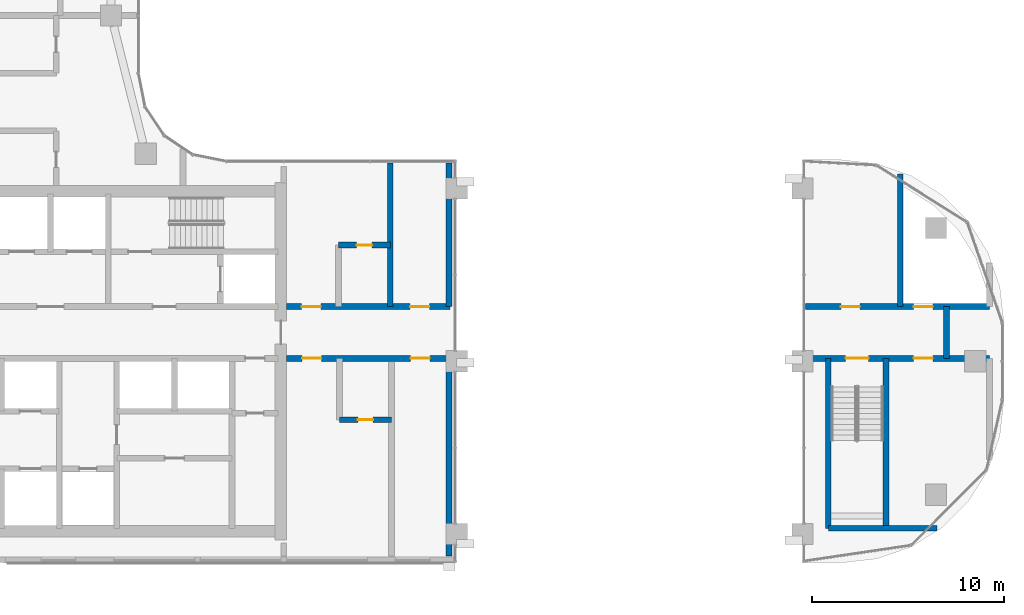
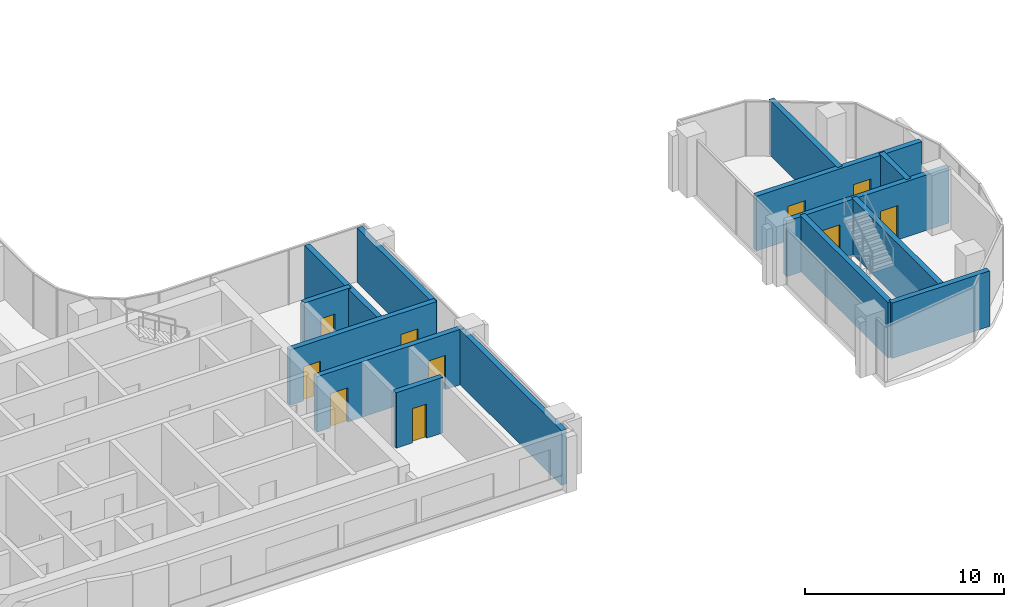
# One storey, part 12 of 23: 14 walls, 10 doors, 10 openings.
"""IFC4 building model written with IfcOpenShell, lengths in metres."""

from ifc_helpers import new_model, si_unit, direction, frame, frame_2d, origin, place, context, subcontext, project, spatial, rectangle, extrude, material, layer, layer_set, type_object, element, fill, save


model = new_model("IFC4")

# Units and contexts
model_context = context("Model", 3, precision=1e-05, world=origin(), true_north=direction((0.0, 1.0)))
body_context = subcontext(model_context, "Body", "Model", "MODEL_VIEW")
ifc_project = project(units=[si_unit("LENGTHUNIT", "METRE"), si_unit("AREAUNIT", "SQUARE_METRE"), si_unit("VOLUMEUNIT", "CUBIC_METRE"), si_unit("PLANEANGLEUNIT", "RADIAN"), si_unit("MASSUNIT", "GRAM", prefix="KILO")], contexts=[model_context])

# Site, building, storey
site_placement = place(None, origin())
site = spatial("IfcSite", under=ifc_project, at=site_placement, CompositionType="ELEMENT")
building_placement = place(site_placement, origin())
building = spatial("IfcBuilding", under=site, at=building_placement, Name="Ogive Portal Towers", CompositionType="ELEMENT")
storey_placement = place(building_placement, frame((0.0, 0.0, 149.60009765625)))
storey = spatial("IfcBuildingStorey", under=building, at=storey_placement, Name="L36", CompositionType="ELEMENT", Elevation=149.60009765625)

# Wall
ifc_material_1 = material(Name="Concrete C50/60", Category="concrete")
ifc_layer_1 = layer(ifc_material_1, 0.300048828125)
ifc_layer_set_1 = layer_set([ifc_layer_1], Name="STAIR WALL 300 C50")
wall_type_1 = type_object("IfcWallType", Name="STAIR WALL 300 C50", PredefinedType="SHEAR", material=ifc_layer_set_1)
wall_1_placement = place(storey_placement, frame((86.85009765625, 21.800048828125, 0.0), z_axis=(0.0, 0.0, 1.0), x_axis=(1.0, 0.0, 0.0)))
element("IfcWall", 1, at=wall_1_placement, inside=storey, type_object=wall_type_1, Name="Stair wall ST-A4 L36", PredefinedType="SHEAR", context=body_context, shape_type="SweptSolid", body=[
    extrude(rectangle(XDim=5.664794921875, YDim=0.300048828125, at=frame_2d((2.83251953125, 0.0))), origin(), (0.0, 0.0, 1.0), 3.39990234375),
])

# Wall, openings, doors
wall_2_placement = place(storey_placement, frame((85.85009765625, 30.64990234375, 0.0), z_axis=(0.0, 0.0, 1.0), x_axis=(1.0, 0.0, 0.0)))
wall_2 = element("IfcWall", 2, at=wall_2_placement, inside=storey, type_object=wall_type_1, Name="Stair wall ST-A4 L36", PredefinedType="SHEAR", context=body_context, shape_type="SweptSolid", body=[
    extrude(rectangle(XDim=9.39990234375, YDim=0.300048828125, at=frame_2d((4.699951171875, 0.0))), origin(), (0.0, 0.0, 1.0), 3.39990234375),
])
opening_1_placement = place(wall_2_placement, frame((1.89990234375, 0.0, 0.0)))
opening_1 = element("IfcOpeningElement", 3, at=opening_1_placement, cuts=wall_2, Name="Opening D14-049", PredefinedType="OPENING", context=body_context, shape_type="SweptSolid", body=[
    extrude(rectangle(XDim=1.199951171875, YDim=2.10009765625, at=frame_2d((0.60009765625, 1.050048828125))), frame((0.0, 0.16015625, 0.0), z_axis=(0.0, -1.0, 0.0), x_axis=(1.0, 0.0, 0.0)), (0.0, 0.0, 1.0), 0.320068359375),
])
opening_2_placement = place(wall_2_placement, frame((5.449951171875, 0.0, 0.0)))
opening_2 = element("IfcOpeningElement", 4, at=opening_2_placement, cuts=wall_2, Name="Opening D14-052", PredefinedType="OPENING", context=body_context, shape_type="SweptSolid", body=[
    extrude(rectangle(XDim=1.0, YDim=2.10009765625, at=frame_2d((0.5, 1.050048828125))), frame((0.0, 0.16015625, 0.0), z_axis=(0.0, -1.0, 0.0), x_axis=(1.0, 0.0, 0.0)), (0.0, 0.0, 1.0), 0.320068359375),
])
ifc_material_2 = material(Name="Steel fire door", Category="steel")
door_type_1 = type_object("IfcDoorType", Name="DT-SERVICE-1000x2100-FD90S", OperationType="SINGLE_SWING_LEFT", PredefinedType="DOOR", material=ifc_material_2)
door_1_placement = place(opening_2_placement, origin())
door_1 = element("IfcDoor", 5, at=door_1_placement, inside=storey, type_object=door_type_1, Name="Door D14-052", OperationType="SINGLE_SWING_LEFT", OverallHeight=2.10009765625, OverallWidth=1.0, PredefinedType="DOOR", context=body_context, shape_type="SweptSolid", body=[
    extrude(rectangle(XDim=1.0, YDim=2.10009765625, at=frame_2d((0.5, 1.050048828125))), frame((0.0, 0.02490234375, 0.0), z_axis=(0.0, -1.0, 0.0), x_axis=(1.0, 0.0, 0.0)), (0.0, 0.0, 1.0), 0.050048828125),
])
fill(opening_2, door_1)
door_type_2 = type_object("IfcDoorType", Name="DT-STAIR-1200x2100-FD90S", OperationType="SINGLE_SWING_LEFT", PredefinedType="DOOR", material=ifc_material_2)
door_2_placement = place(opening_1_placement, origin())
door_2 = element("IfcDoor", 6, at=door_2_placement, inside=storey, type_object=door_type_2, Name="Door D14-049", OperationType="SINGLE_SWING_LEFT", OverallHeight=2.10009765625, OverallWidth=1.199951171875, PredefinedType="DOOR", context=body_context, shape_type="SweptSolid", body=[
    extrude(rectangle(XDim=1.199951171875, YDim=2.10009765625, at=frame_2d((0.60009765625, 1.050048828125))), frame((0.0, 0.02490234375, 0.0), z_axis=(0.0, -1.0, 0.0), x_axis=(1.0, 0.0, 0.0)), (0.0, 0.0, 1.0), 0.050048828125),
])
fill(opening_1, door_2)

# Walls
for number, where, z_axis, x_axis, name in (
    (7, (86.85009765625, 21.800048828125, 0.0), (0.0, 0.0, 1.0), (0.0, 1.0, 0.0), "Stair wall ST-A4 L36"),
    (8, (89.85009765625, 21.800048828125, 0.0), (0.0, 0.0, 1.0), (0.0, 1.0, 0.0), "Stair wall ST-A4 L36"),
):
    element("IfcWall", number, at=place(storey_placement, frame(where, z_axis=z_axis, x_axis=x_axis)), inside=storey, type_object=wall_type_1, Name=name, PredefinedType="SHEAR", context=body_context, shape_type="SweptSolid", body=[
        extrude(rectangle(XDim=8.849853515625, YDim=0.300048828125, at=frame_2d((4.4248046875, 0.0))), origin(), (0.0, 0.0, 1.0), 3.39990234375),
    ])

# Wall, openings, doors
ifc_material_3 = material(Name="Gypsum board partition on steel studs", Category="steel")
ifc_layer_2 = layer(ifc_material_3, 0.300048828125)
ifc_layer_set_2 = layer_set([ifc_layer_2], Name="WT-PART-300-EI 120")
wall_type_2 = type_object("IfcWallType", Name="WT-PART-300-EI 120", PredefinedType="PARTITIONING", material=ifc_layer_set_2)
wall_3_placement = place(storey_placement, frame((58.64990234375, 30.64990234375, 0.0), z_axis=(0.0, 0.0, 1.0), x_axis=(1.0, 0.0, 0.0)))
wall_3 = element("IfcWall", 9, at=wall_3_placement, inside=storey, type_object=wall_type_2, Name="Wall L36:w003", PredefinedType="PARTITIONING", context=body_context, shape_type="SweptSolid", body=[
    extrude(rectangle(XDim=8.5, YDim=0.300048828125, at=frame_2d((4.25, 0.0))), origin(), (0.0, 0.0, 1.0), 3.39990234375),
])
opening_3_placement = place(wall_3_placement, frame((0.800048828125, 0.0, 0.0)))
opening_3 = element("IfcOpeningElement", 10, at=opening_3_placement, cuts=wall_3, Name="Opening D14-031", PredefinedType="OPENING", context=body_context, shape_type="SweptSolid", body=[
    extrude(rectangle(XDim=1.0, YDim=2.10009765625, at=frame_2d((0.5, 1.050048828125))), frame((0.0, 0.16015625, 0.0), z_axis=(0.0, -1.0, 0.0), x_axis=(1.0, 0.0, 0.0)), (0.0, 0.0, 1.0), 0.320068359375),
])
opening_4_placement = place(wall_3_placement, frame((6.449951171875, 0.0, 0.0)))
opening_4 = element("IfcOpeningElement", 11, at=opening_4_placement, cuts=wall_3, Name="Opening D14-032", PredefinedType="OPENING", context=body_context, shape_type="SweptSolid", body=[
    extrude(rectangle(XDim=1.0, YDim=2.10009765625, at=frame_2d((0.5, 1.050048828125))), frame((0.0, 0.16015625, 0.0), z_axis=(0.0, -1.0, 0.0), x_axis=(1.0, 0.0, 0.0)), (0.0, 0.0, 1.0), 0.320068359375),
])
door_type_3 = type_object("IfcDoorType", Name="DT-ENTRY-1000x2100-FD90S", OperationType="SINGLE_SWING_LEFT", PredefinedType="DOOR", material=ifc_material_2)
door_3_placement = place(opening_3_placement, origin())
door_3 = element("IfcDoor", 12, at=door_3_placement, inside=storey, type_object=door_type_3, Name="Door D14-031", OperationType="SINGLE_SWING_LEFT", OverallHeight=2.10009765625, OverallWidth=1.0, PredefinedType="DOOR", context=body_context, shape_type="SweptSolid", body=[
    extrude(rectangle(XDim=1.0, YDim=2.10009765625, at=frame_2d((0.5, 1.050048828125))), frame((0.0, 0.02490234375, 0.0), z_axis=(0.0, -1.0, 0.0), x_axis=(1.0, 0.0, 0.0)), (0.0, 0.0, 1.0), 0.050048828125),
])
fill(opening_3, door_3)
door_4_placement = place(opening_4_placement, origin())
door_4 = element("IfcDoor", 13, at=door_4_placement, inside=storey, type_object=door_type_3, Name="Door D14-032", OperationType="SINGLE_SWING_RIGHT", OverallHeight=2.10009765625, OverallWidth=1.0, PredefinedType="DOOR", context=body_context, shape_type="SweptSolid", body=[
    extrude(rectangle(XDim=1.0, YDim=2.10009765625, at=frame_2d((0.5, 1.050048828125))), frame((0.0, 0.02490234375, 0.0), z_axis=(0.0, -1.0, 0.0), x_axis=(1.0, 0.0, 0.0)), (0.0, 0.0, 1.0), 0.050048828125),
])
fill(opening_4, door_4)

wall_4_placement = place(storey_placement, frame((58.64990234375, 33.35009765625, 0.0), z_axis=(0.0, 0.0, 1.0), x_axis=(1.0, 0.0, 0.0)))
wall_4 = element("IfcWall", 14, at=wall_4_placement, inside=storey, type_object=wall_type_2, Name="Wall L36:w005", PredefinedType="PARTITIONING", context=body_context, shape_type="SweptSolid", body=[
    extrude(rectangle(XDim=8.5, YDim=0.300048828125, at=frame_2d((4.25, 0.0))), origin(), (0.0, 0.0, 1.0), 3.39990234375),
])
opening_5_placement = place(wall_4_placement, frame((0.77197265625, 0.0, 0.0)))
opening_5 = element("IfcOpeningElement", 15, at=opening_5_placement, cuts=wall_4, Name="Opening D14-028", PredefinedType="OPENING", context=body_context, shape_type="SweptSolid", body=[
    extrude(rectangle(XDim=1.0, YDim=2.10009765625, at=frame_2d((0.5, 1.050048828125))), frame((0.0, 0.16015625, 0.0), z_axis=(0.0, -1.0, 0.0), x_axis=(1.0, 0.0, 0.0)), (0.0, 0.0, 1.0), 0.320068359375),
])
opening_6_placement = place(wall_4_placement, frame((6.422119140625, 0.0, 0.0)))
opening_6 = element("IfcOpeningElement", 16, at=opening_6_placement, cuts=wall_4, Name="Opening D14-029", PredefinedType="OPENING", context=body_context, shape_type="SweptSolid", body=[
    extrude(rectangle(XDim=1.0, YDim=2.10009765625, at=frame_2d((0.5, 1.050048828125))), frame((0.0, 0.16015625, 0.0), z_axis=(0.0, -1.0, 0.0), x_axis=(1.0, 0.0, 0.0)), (0.0, 0.0, 1.0), 0.320068359375),
])
door_5_placement = place(opening_5_placement, origin())
door_5 = element("IfcDoor", 17, at=door_5_placement, inside=storey, type_object=door_type_3, Name="Door D14-028", OperationType="SINGLE_SWING_LEFT", OverallHeight=2.10009765625, OverallWidth=1.0, PredefinedType="DOOR", context=body_context, shape_type="SweptSolid", body=[
    extrude(rectangle(XDim=1.0, YDim=2.10009765625, at=frame_2d((0.5, 1.050048828125))), frame((0.0, 0.02490234375, 0.0), z_axis=(0.0, -1.0, 0.0), x_axis=(1.0, 0.0, 0.0)), (0.0, 0.0, 1.0), 0.050048828125),
])
fill(opening_5, door_5)
door_6_placement = place(opening_6_placement, origin())
door_6 = element("IfcDoor", 18, at=door_6_placement, inside=storey, type_object=door_type_3, Name="Door D14-029", OperationType="SINGLE_SWING_RIGHT", OverallHeight=2.10009765625, OverallWidth=1.0, PredefinedType="DOOR", context=body_context, shape_type="SweptSolid", body=[
    extrude(rectangle(XDim=1.0, YDim=2.10009765625, at=frame_2d((0.5, 1.050048828125))), frame((0.0, 0.02490234375, 0.0), z_axis=(0.0, -1.0, 0.0), x_axis=(1.0, 0.0, 0.0)), (0.0, 0.0, 1.0), 0.050048828125),
])
fill(opening_6, door_6)

wall_5_placement = place(storey_placement, frame((85.669921875, 33.35009765625, 0.0), z_axis=(0.0, 0.0, 1.0), x_axis=(1.0, 0.0, 0.0)))
wall_5 = element("IfcWall", 19, at=wall_5_placement, inside=storey, type_object=wall_type_2, Name="Wall L36:w006", PredefinedType="PARTITIONING", context=body_context, shape_type="SweptSolid", body=[
    extrude(rectangle(XDim=9.580078125, YDim=0.300048828125, at=frame_2d((4.7900390625, 0.0))), origin(), (0.0, 0.0, 1.0), 3.349853515625),
])
opening_7_placement = place(wall_5_placement, frame((1.830078125, 0.0, 0.0)))
opening_7 = element("IfcOpeningElement", 20, at=opening_7_placement, cuts=wall_5, Name="Opening D14-050", PredefinedType="OPENING", context=body_context, shape_type="SweptSolid", body=[
    extrude(rectangle(XDim=1.0, YDim=2.10009765625, at=frame_2d((0.5, 1.050048828125))), frame((0.0, 0.16015625, 0.0), z_axis=(0.0, -1.0, 0.0), x_axis=(1.0, 0.0, 0.0)), (0.0, 0.0, 1.0), 0.320068359375),
])
opening_8_placement = place(wall_5_placement, frame((5.6298828125, 0.0, 0.0)))
opening_8 = element("IfcOpeningElement", 21, at=opening_8_placement, cuts=wall_5, Name="Opening D14-051", PredefinedType="OPENING", context=body_context, shape_type="SweptSolid", body=[
    extrude(rectangle(XDim=1.0, YDim=2.10009765625, at=frame_2d((0.5, 1.050048828125))), frame((0.0, 0.16015625, 0.0), z_axis=(0.0, -1.0, 0.0), x_axis=(1.0, 0.0, 0.0)), (0.0, 0.0, 1.0), 0.320068359375),
])
door_7_placement = place(opening_7_placement, origin())
door_7 = element("IfcDoor", 22, at=door_7_placement, inside=storey, type_object=door_type_1, Name="Door D14-050", OperationType="SINGLE_SWING_LEFT", OverallHeight=2.10009765625, OverallWidth=1.0, PredefinedType="DOOR", context=body_context, shape_type="SweptSolid", body=[
    extrude(rectangle(XDim=1.0, YDim=2.10009765625, at=frame_2d((0.5, 1.050048828125))), frame((0.0, 0.02490234375, 0.0), z_axis=(0.0, -1.0, 0.0), x_axis=(1.0, 0.0, 0.0)), (0.0, 0.0, 1.0), 0.050048828125),
])
fill(opening_7, door_7)
door_8_placement = place(opening_8_placement, origin())
door_8 = element("IfcDoor", 23, at=door_8_placement, inside=storey, type_object=door_type_1, Name="Riser access door D14-051", OperationType="SINGLE_SWING_RIGHT", OverallHeight=2.10009765625, OverallWidth=1.0, PredefinedType="DOOR", context=body_context, shape_type="SweptSolid", body=[
    extrude(rectangle(XDim=1.0, YDim=2.10009765625, at=frame_2d((0.5, 1.050048828125))), frame((0.0, 0.02490234375, 0.0), z_axis=(0.0, -1.0, 0.0), x_axis=(1.0, 0.0, 0.0)), (0.0, 0.0, 1.0), 0.050048828125),
])
fill(opening_8, door_8)

# Wall
wall_6_placement = place(storey_placement, frame((93.0, 30.64990234375, 0.0), z_axis=(0.0, 0.0, 1.0), x_axis=(0.0, 1.0, 0.0)))
element("IfcWall", 24, at=wall_6_placement, inside=storey, type_object=wall_type_2, Name="Wall L36:w048", PredefinedType="PARTITIONING", context=body_context, shape_type="SweptSolid", body=[
    extrude(rectangle(XDim=2.7001953125, YDim=0.300048828125, at=frame_2d((1.35009765625, 0.0))), origin(), (0.0, 0.0, 1.0), 3.39990234375),
])

# Wall, opening, door
ifc_layer_3 = layer(ifc_material_3, 0.300048828125)
ifc_layer_set_3 = layer_set([ifc_layer_3], Name="WT-PART-300-EI 60")
wall_type_3 = type_object("IfcWallType", Name="WT-PART-300-EI 60", PredefinedType="PARTITIONING", material=ifc_layer_set_3)
wall_7_placement = place(storey_placement, frame((61.39990234375, 27.449951171875, 0.0), z_axis=(0.0, 0.0, 1.0), x_axis=(1.0, 0.0, 0.0)))
wall_7 = element("IfcWall", 25, at=wall_7_placement, inside=storey, type_object=wall_type_3, Name="Wall L36:w002", PredefinedType="PARTITIONING", context=body_context, shape_type="SweptSolid", body=[
    extrude(rectangle(XDim=2.7001953125, YDim=0.300048828125, at=frame_2d((1.35009765625, 0.0))), origin(), (0.0, 0.0, 1.0), 3.39990234375),
])
opening_9_placement = place(wall_7_placement, frame((0.949951171875, 0.0, 0.0)))
opening_9 = element("IfcOpeningElement", 26, at=opening_9_placement, cuts=wall_7, Name="Opening D14-030", PredefinedType="OPENING", context=body_context, shape_type="SweptSolid", body=[
    extrude(rectangle(XDim=0.800048828125, YDim=2.10009765625, at=frame_2d((0.39990234375, 1.050048828125))), frame((0.0, 0.16015625, 0.0), z_axis=(0.0, -1.0, 0.0), x_axis=(1.0, 0.0, 0.0)), (0.0, 0.0, 1.0), 0.320068359375),
])
door_type_4 = type_object("IfcDoorType", Name="DT-BATH-800x2100-FD60S", OperationType="SINGLE_SWING_LEFT", PredefinedType="DOOR", material=ifc_material_2)
door_9_placement = place(opening_9_placement, origin())
door_9 = element("IfcDoor", 27, at=door_9_placement, inside=storey, type_object=door_type_4, Name="Door D14-030", OperationType="SINGLE_SWING_LEFT", OverallHeight=2.10009765625, OverallWidth=0.800048828125, PredefinedType="DOOR", context=body_context, shape_type="SweptSolid", body=[
    extrude(rectangle(XDim=0.800048828125, YDim=2.10009765625, at=frame_2d((0.39990234375, 1.050048828125))), frame((0.0, 0.02490234375, 0.0), z_axis=(0.0, -1.0, 0.0), x_axis=(1.0, 0.0, 0.0)), (0.0, 0.0, 1.0), 0.050048828125),
])
fill(opening_9, door_9)

wall_8_placement = place(storey_placement, frame((61.343994140625, 36.550048828125, 0.0), z_axis=(0.0, 0.0, 1.0), x_axis=(1.0, 0.0, 0.0)))
wall_8 = element("IfcWall", 28, at=wall_8_placement, inside=storey, type_object=wall_type_3, Name="Wall L36:w007", PredefinedType="PARTITIONING", context=body_context, shape_type="SweptSolid", body=[
    extrude(rectangle(XDim=2.699951171875, YDim=0.300048828125, at=frame_2d((1.35009765625, 0.0))), origin(), (0.0, 0.0, 1.0), 3.39990234375),
])
opening_10_placement = place(wall_8_placement, frame((0.949951171875, 0.0, 0.0)))
opening_10 = element("IfcOpeningElement", 29, at=opening_10_placement, cuts=wall_8, Name="Opening D14-027", PredefinedType="OPENING", context=body_context, shape_type="SweptSolid", body=[
    extrude(rectangle(XDim=0.800048828125, YDim=2.10009765625, at=frame_2d((0.39990234375, 1.050048828125))), frame((0.0, 0.16015625, 0.0), z_axis=(0.0, -1.0, 0.0), x_axis=(1.0, 0.0, 0.0)), (0.0, 0.0, 1.0), 0.320068359375),
])
door_10_placement = place(opening_10_placement, origin())
door_10 = element("IfcDoor", 30, at=door_10_placement, inside=storey, type_object=door_type_4, Name="Door D14-027", OperationType="SINGLE_SWING_LEFT", OverallHeight=2.10009765625, OverallWidth=0.800048828125, PredefinedType="DOOR", context=body_context, shape_type="SweptSolid", body=[
    extrude(rectangle(XDim=0.800048828125, YDim=2.10009765625, at=frame_2d((0.39990234375, 1.050048828125))), frame((0.0, 0.02490234375, 0.0), z_axis=(0.0, -1.0, 0.0), x_axis=(1.0, 0.0, 0.0)), (0.0, 0.0, 1.0), 0.050048828125),
])
fill(opening_10, door_10)

# Walls
wall_9_placement = place(storey_placement, frame((64.0439453125, 33.35009765625, 0.0), z_axis=(0.0, 0.0, 1.0), x_axis=(0.0, 1.0, 0.0)))
element("IfcWall", 31, at=wall_9_placement, inside=storey, type_object=wall_type_3, Name="Wall L36:w041", PredefinedType="PARTITIONING", context=body_context, shape_type="SweptSolid", body=[
    extrude(rectangle(XDim=7.47998046875, YDim=0.300048828125, at=frame_2d((3.739990234375, 0.0))), origin(), (0.0, 0.0, 1.0), 3.349853515625),
])
wall_10_placement = place(storey_placement, frame((67.10009765625, 20.35009765625, 0.0), z_axis=(0.0, 0.0, 1.0), x_axis=(0.0, 1.0, 0.0)))
element("IfcWall", 32, at=wall_10_placement, inside=storey, type_object=wall_type_3, Name="Wall L36:w043", PredefinedType="PARTITIONING", context=body_context, shape_type="SweptSolid", body=[
    extrude(rectangle(XDim=10.2998046875, YDim=0.300048828125, at=frame_2d((5.14990234375, 0.0))), origin(), (0.0, 0.0, 1.0), 3.349853515625),
])
wall_11_placement = place(storey_placement, frame((67.10009765625, 33.35009765625, 0.0), z_axis=(0.0, 0.0, 1.0), x_axis=(0.0, 1.0, 0.0)))
element("IfcWall", 33, at=wall_11_placement, inside=storey, type_object=wall_type_3, Name="Wall L36:w044", PredefinedType="PARTITIONING", context=body_context, shape_type="SweptSolid", body=[
    extrude(rectangle(XDim=7.47998046875, YDim=0.300048828125, at=frame_2d((3.739990234375, 0.0))), origin(), (0.0, 0.0, 1.0), 3.349853515625),
])
wall_12_placement = place(storey_placement, frame((90.60009765625, 33.35009765625, 0.0), z_axis=(0.0, 0.0, 1.0), x_axis=(0.0, 1.0, 0.0)))
element("IfcWall", 34, at=wall_12_placement, inside=storey, type_object=wall_type_3, Name="Wall L36:w047", PredefinedType="PARTITIONING", context=body_context, shape_type="SweptSolid", body=[
    extrude(rectangle(XDim=6.89794921875, YDim=0.300048828125, at=frame_2d((3.448974609375, 0.0))), origin(), (0.0, 0.0, 1.0), 3.349853515625),
])

save(model, "model.ifc")
